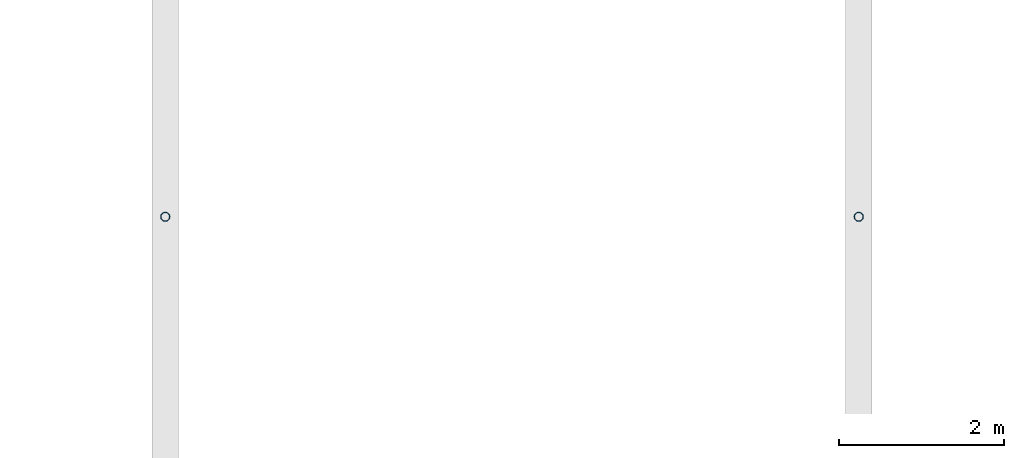
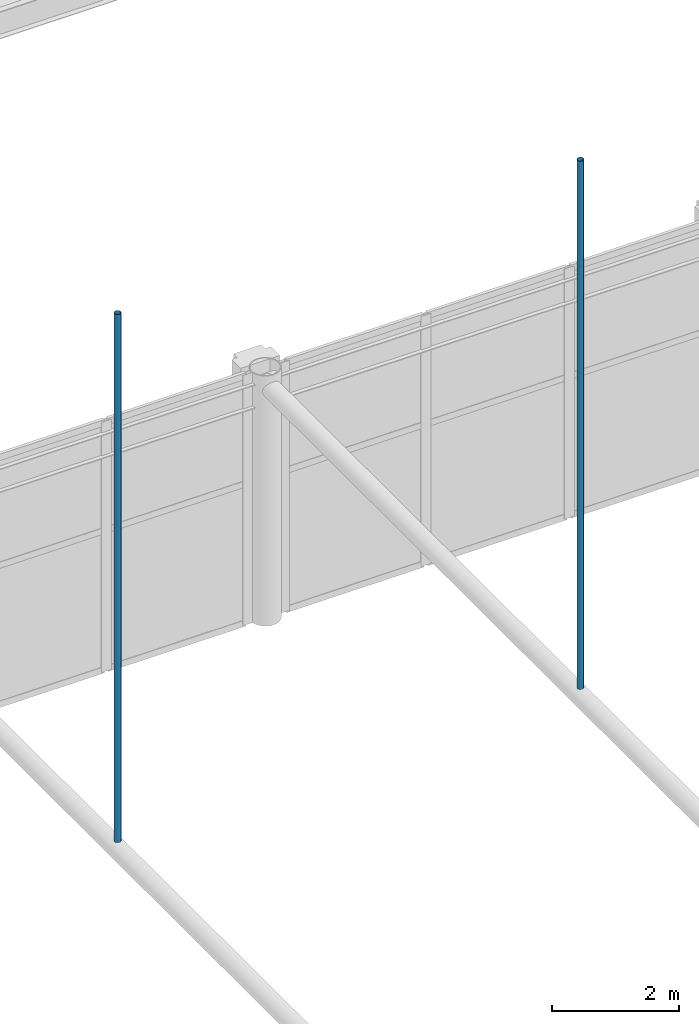
# One storey, part 82 of 167: 2 members.
"""IFC4 building model written with IfcOpenShell, lengths in metres."""

from ifc_helpers import new_model, si_unit, direction, frame, origin, origin_2d, place, context, subcontext, project, spatial, hollow_circle, extrude, material, material_profile, profile_set, type_object, element, save


model = new_model("IFC4")

# Units and contexts
model_context = context("Model", 3, precision=1e-05, world=origin(), true_north=direction((0.0, 1.0)))
body_context = subcontext(model_context, "Body", "Model", "MODEL_VIEW")
ifc_project = project(units=[si_unit("LENGTHUNIT", "METRE"), si_unit("AREAUNIT", "SQUARE_METRE"), si_unit("VOLUMEUNIT", "CUBIC_METRE"), si_unit("PLANEANGLEUNIT", "RADIAN"), si_unit("MASSUNIT", "GRAM", prefix="KILO")], contexts=[model_context])

# Site, building, storey
site_placement = place(None, origin())
site = spatial("IfcSite", under=ifc_project, at=site_placement, CompositionType="ELEMENT")
building_placement = place(site_placement, origin())
building = spatial("IfcBuilding", under=site, at=building_placement, Name="Catenary Quay Ferry Terminal", CompositionType="ELEMENT")
storey_placement = place(building_placement, frame((0.0, 0.0, 6.0)))
storey = spatial("IfcBuildingStorey", under=building, at=storey_placement, Name="L01", CompositionType="ELEMENT", Elevation=6.0)

# Members
ifc_material = material(Name="Steel S355", Category="steel")
ifc_material_profile = material_profile(ifc_material, hollow_circle(Radius=0.05712890625, WallThickness=0.00634765625, at=origin_2d()), Name="CHS 114.3x6.3")
ifc_profile_set = profile_set([ifc_material_profile], Name="Steel S355")
member_type = type_object("IfcMemberType", Name="HG1 CHS 114.3x6.3", PredefinedType="POST", material=ifc_profile_set)
for number, where, z_axis, x_axis, name in (
    (1, (50.39990234375, 132.889892578125, 4.654052734375), (0.0, 0.0, 1.0), (1.0, 0.0, 0.0), "Hanger VD-04-08"),
    (2, (58.800048828125, 132.889892578125, 4.654052734375), (0.0, 0.0, 1.0), (1.0, 0.0, 0.0), "Hanger VD-05-08"),
):
    element("IfcMember", number, at=place(storey_placement, frame(where, z_axis=z_axis, x_axis=x_axis)), inside=storey, type_object=member_type, Name=name, PredefinedType="POST", context=body_context, shape_type="SweptSolid", body=[
        extrude(hollow_circle(Radius=0.05712890625, WallThickness=0.00634765625, at=origin_2d()), origin(), (0.0, 0.0, 1.0), 10.137939453125),
    ])

save(model, "model.ifc")
